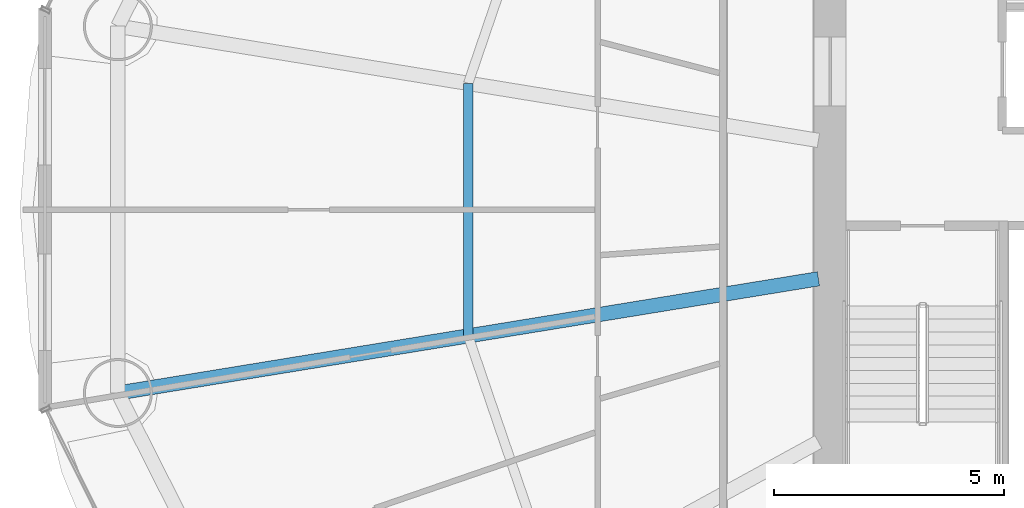
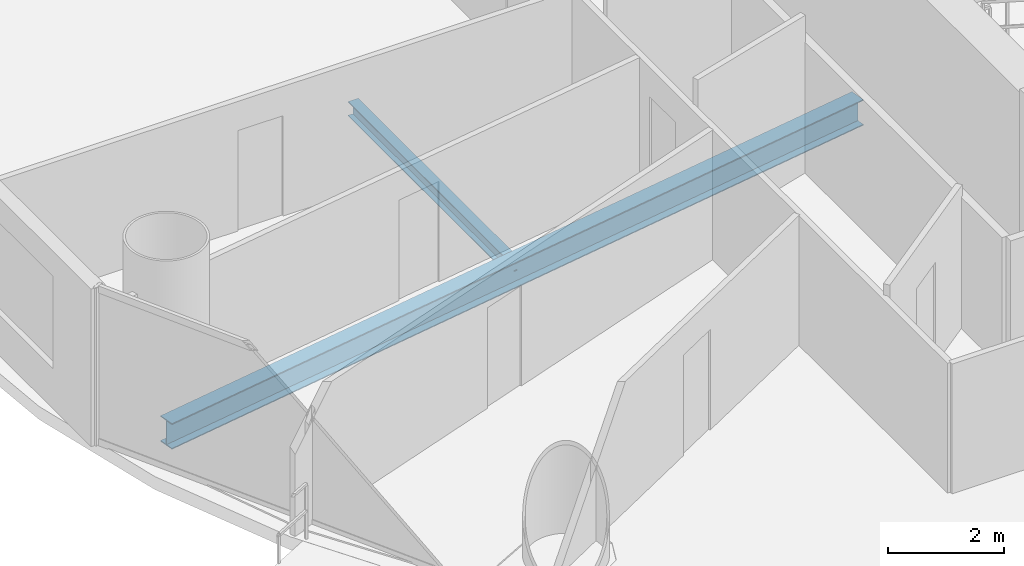
# One storey, part 8 of 29: 2 beams.
"""IFC4 building model written with IfcOpenShell, lengths in metres."""

import ifcopenshell
import ifcopenshell.guid

model = None  # the IFC model being written
_history = None  # IfcOwnerHistory: only IFC2X3 demands one
_inside = {}  # id of a spatial element -> (the spatial element, [elements in it])
_under = {}  # id of a project, library or spatial element -> (it, [spatial elements below it])
_declared = {}  # id of a project -> (the project, [libraries it declares])
_typed = {}  # id of a type object -> (the type object, [elements of that type])
_made_of = {}  # id of a material, layer set ... -> (it, [elements and type objects made of it])


def new_model(schema):
    """Start an empty IFC model of exactly this schema.

    Asked for "IFC4X3", IfcOpenShell would pick the latest addendum, in which some entities
    have other attributes; the version numbers below select the first issue.
    IFC2X3 requires an IfcOwnerHistory on every rooted entity: one is made here for all.
    """
    global model, _history
    if schema == "IFC4X3":
        model = ifcopenshell.file(schema_version=(4, 3, 0, 0))
    else:
        model = ifcopenshell.file(schema=schema)
    _inside.clear()
    _under.clear()
    _declared.clear()
    _typed.clear()
    _made_of.clear()
    _history = None
    if model.schema == "IFC2X3":
        org = make("IfcOrganization", Name="unknown")
        user = make(
            "IfcPersonAndOrganization",
            ThePerson=make("IfcPerson", FamilyName="unknown"),
            TheOrganization=org,
        )
        app = make(
            "IfcApplication",
            ApplicationDeveloper=org,
            Version="unknown",
            ApplicationFullName="unknown",
            ApplicationIdentifier="unknown",
        )
        _history = make(
            "IfcOwnerHistory",
            OwningUser=user,
            OwningApplication=app,
            ChangeAction="ADDED",
            CreationDate=0,
        )
    return model


def make(cls, **values):
    """One entity of the class cls with the attributes given. An attribute that is None is left unset."""
    return model.create_entity(
        cls, **{name: value for name, value in values.items() if value is not None}
    )


def rooted(cls, **values):
    """An entity with a GlobalId (a new one), such as an element, a storey or a relation."""
    return make(cls, GlobalId=ifcopenshell.guid.new(), OwnerHistory=_history, **values)


def si_unit(unit_type, name, prefix=None):
    """IfcSIUnit, for example si_unit("LENGTHUNIT", "METRE", prefix="MILLI")."""
    return make("IfcSIUnit", UnitType=unit_type, Prefix=prefix, Name=name)


def assignment(units):
    """IfcUnitAssignment: the units of a project."""
    return None if units is None else make("IfcUnitAssignment", Units=units)


def point(xyz):
    """IfcCartesianPoint."""
    return None if xyz is None else make("IfcCartesianPoint", Coordinates=xyz)


def direction(xyz):
    """IfcDirection."""
    return None if xyz is None else make("IfcDirection", DirectionRatios=xyz)


def frame(location, z_axis=None, x_axis=None):
    """IfcAxis2Placement3D, a coordinate frame: its origin and axes. An axis left out is left unset."""
    return make(
        "IfcAxis2Placement3D",
        Location=point(location),
        Axis=direction(z_axis),
        RefDirection=direction(x_axis),
    )


def frame_2d(location, x_axis=None):
    """IfcAxis2Placement2D, a coordinate frame in the plane: its origin and x axis."""
    return make(
        "IfcAxis2Placement2D", Location=point(location), RefDirection=direction(x_axis)
    )


def origin():
    """The frame at (0, 0, 0) with its axes left unset."""
    return frame((0.0, 0.0, 0.0))


def origin_2d():
    """The frame at (0, 0) in the plane with its x axis left unset."""
    return frame_2d((0.0, 0.0))


def place(relative_to, where):
    """IfcLocalPlacement: puts the frame where relative to a parent placement (None: the world)."""
    return make(
        "IfcLocalPlacement", PlacementRelTo=relative_to, RelativePlacement=where
    )


def context(
    kind, dimensions, precision=None, world=None, true_north=None, identifier=None
):
    """IfcGeometricRepresentationContext, for example the 3D "Model" context."""
    return make(
        "IfcGeometricRepresentationContext",
        ContextIdentifier=identifier,
        ContextType=kind,
        CoordinateSpaceDimension=dimensions,
        Precision=precision,
        WorldCoordinateSystem=world,
        TrueNorth=true_north,
    )


def subcontext(parent, identifier, kind, view, scale=None):
    """IfcGeometricRepresentationSubContext, for example "Body" below "Model"."""
    return make(
        "IfcGeometricRepresentationSubContext",
        ContextIdentifier=identifier,
        ContextType=kind,
        ParentContext=parent,
        TargetScale=scale,
        TargetView=view,
    )


def project(units=None, contexts=None):
    """IfcProject with its units and contexts."""
    return rooted(
        "IfcProject",
        Name="project",
        RepresentationContexts=contexts,
        UnitsInContext=assignment(units),
    )


def spatial(cls, under=None, at=None, **own):
    """A site, building, storey or space (cls), placed at a placement, below another one or the project."""
    s = rooted(cls, ObjectPlacement=at, **own)
    if under is not None:
        _under.setdefault(under.id(), (under, []))[1].append(s)
    return s


def profile(cls, at=None, kind="AREA", **sizes):
    """A parametric profile (cls). Its sizes go by their IFC names, for example OverallWidth=200.0."""
    return make(cls, ProfileType=kind, Position=at, **sizes)


def i_section(**sizes):
    """IfcIShapeProfileDef."""
    return profile("IfcIShapeProfileDef", **sizes)


def extrude(swept, where, along, depth):
    """IfcExtrudedAreaSolid: the profile swept, set in the frame where, extruded along a direction by depth."""
    return make(
        "IfcExtrudedAreaSolid",
        SweptArea=swept,
        Position=where,
        ExtrudedDirection=direction(along),
        Depth=depth,
    )


def shape(context_of_items, identifier, shape_type, items):
    """IfcShapeRepresentation: the items that make up one representation, for example the "Body"."""
    return make(
        "IfcShapeRepresentation",
        ContextOfItems=context_of_items,
        RepresentationIdentifier=identifier,
        RepresentationType=shape_type,
        Items=items,
    )


def material(Name=None, Category=None):
    """IfcMaterial."""
    return make("IfcMaterial", Name=Name, Category=Category)


def material_profile(
    of_material, cross_section, Name=None, Category=None, Priority=None
):
    """IfcMaterialProfile: a cross section and its material."""
    return make(
        "IfcMaterialProfile",
        Name=Name,
        Material=of_material,
        Profile=cross_section,
        Priority=Priority,
        Category=Category,
    )


def profile_set(profiles, Name=None, composite=None):
    """IfcMaterialProfileSet."""
    return make(
        "IfcMaterialProfileSet",
        Name=Name,
        MaterialProfiles=profiles,
        CompositeProfile=composite,
    )


def made_of(thing, what):
    """Note that an element or type object is made of a material, layer set ...; save() writes the relation."""
    if what is not None:
        _made_of.setdefault(what.id(), (what, []))[1].append(thing)
    return thing


def type_object(cls, material=None, **own):
    """A type object (cls), such as IfcWallType, which elements share."""
    return made_of(rooted(cls, **own), material)


def element(
    cls,
    number,
    at=None,
    inside=None,
    cuts=None,
    type_object=None,
    material=None,
    context=None,
    identifier="Body",
    shape_type=None,
    held_by="IfcProductDefinitionShape",
    body=None,
    shapes=None,
    **own,
):
    """One element of the class cls, such as IfcWall. Its Tag is "e" and its number.

    at: its placement. inside: the storey or other place that contains it. cuts: it is an
    opening in that element (IfcRelVoidsElement). A single representation is given by context,
    identifier, shape_type and body (its items); several are given by shapes. held_by: the class
    of the entity that holds the representations. save() writes the other relations.
    """
    e = rooted(cls, Tag="e%d" % number, ObjectPlacement=at, **own)
    if body is not None:
        shapes = [shape(context, identifier, shape_type, body)]
    if shapes is not None:
        e.Representation = make(held_by, Representations=shapes)
    if inside is not None:
        _inside.setdefault(inside.id(), (inside, []))[1].append(e)
    if cuts is not None:
        rooted(
            "IfcRelVoidsElement", RelatingBuildingElement=cuts, RelatedOpeningElement=e
        )
    if type_object is not None:
        _typed.setdefault(type_object.id(), (type_object, []))[1].append(e)
    return made_of(e, material)


def aggregate(whole, parts):
    """IfcRelAggregates: a whole, such as a stair, and the parts it consists of."""
    return rooted("IfcRelAggregates", RelatingObject=whole, RelatedObjects=parts)


def save(model, path):
    """Write the relations noted so far, then the file.

    IfcRelAggregates (storeys below a building ...), IfcRelContainedInSpatialStructure (elements
    in a storey), IfcRelDefinesByType, IfcRelAssociatesMaterial and IfcRelDeclares: one each for
    every whole, place, type object, material and project.
    """
    for whole, parts in _under.values():
        aggregate(whole, parts)
    for where, things in _inside.values():
        rooted(
            "IfcRelContainedInSpatialStructure",
            RelatedElements=things,
            RelatingStructure=where,
        )
    for kind, things in _typed.values():
        rooted("IfcRelDefinesByType", RelatedObjects=things, RelatingType=kind)
    for what, things in _made_of.values():
        rooted("IfcRelAssociatesMaterial", RelatedObjects=things, RelatingMaterial=what)
    for by, libraries in _declared.values():
        rooted("IfcRelDeclares", RelatingContext=by, RelatedDefinitions=libraries)
    model.write(path)


model = new_model("IFC4")

# Units and contexts
model_context = context("Model", 3, precision=1e-05, world=origin(), true_north=direction((-0.2419218956, 0.970295726276)))
body_context = subcontext(model_context, "Body", "Model", "MODEL_VIEW")
ifc_project = project(units=[si_unit("LENGTHUNIT", "METRE"), si_unit("AREAUNIT", "SQUARE_METRE"), si_unit("VOLUMEUNIT", "CUBIC_METRE"), si_unit("PLANEANGLEUNIT", "RADIAN"), si_unit("MASSUNIT", "GRAM", prefix="KILO")], contexts=[model_context])

# Site, building, storey
site_placement = place(None, origin())
site = spatial("IfcSite", under=ifc_project, at=site_placement, CompositionType="ELEMENT")
building_placement = place(site_placement, origin())
building = spatial("IfcBuilding", under=site, at=building_placement, Name="Cobrevalo Terracotta Tower", CompositionType="ELEMENT")
storey_placement = place(building_placement, frame((0.0, 0.0, 94.199951171875)))
storey = spatial("IfcBuildingStorey", under=building, at=storey_placement, Name="L24", CompositionType="ELEMENT", Elevation=94.199951171875)

# Beams
ifc_material = material(Name="Steel S355", Category="steel")
ifc_material_profile_1 = material_profile(ifc_material, i_section(OverallWidth=0.31201171875, OverallDepth=0.54296875, WebThickness=0.0126953125, FlangeThickness=0.020263671875, at=origin_2d()), Name="W 530x150")
ifc_profile_set_1 = profile_set([ifc_material_profile_1], Name="Steel S355")
beam_type_1 = type_object("IfcBeamType", Name="Structural Beam W 530x150 (Steel S355)", PredefinedType="BEAM", material=ifc_profile_set_1)
beam_1_placement = place(storey_placement, frame((13.529296875, 22.810302734375, -0.54638671875), z_axis=(0.986968056587, 0.160916298977, 0.0), x_axis=(-0.160916298977, 0.986968056587, 0.0)))
element("IfcBeam", 1, at=beam_1_placement, inside=storey, type_object=beam_type_1, Name="L24 radial floor girder 09", PredefinedType="BEAM", context=body_context, shape_type="SweptSolid", body=[
    extrude(i_section(OverallWidth=0.31201171875, OverallDepth=0.54296875, WebThickness=0.0126953125, FlangeThickness=0.020263671875, at=origin_2d()), origin(), (0.0, 0.0, 1.0), 15.44189453125),
])
ifc_material_profile_2 = material_profile(ifc_material, i_section(OverallWidth=0.2041015625, OverallDepth=0.305908203125, WebThickness=0.008544921875, FlangeThickness=0.0146484375, at=origin_2d()), Name="W 310x67")
ifc_profile_set_2 = profile_set([ifc_material_profile_2], Name="Steel S355")
beam_type_2 = type_object("IfcBeamType", Name="Structural Joist W 310x67 (Steel S355)", PredefinedType="JOIST", material=ifc_profile_set_2)
beam_2_placement = place(storey_placement, frame((21.149658203125, 29.547119140625, -0.427978515625), z_axis=(0.0, -1.0, 0.0), x_axis=(1.0, 0.0, 0.0)))
element("IfcBeam", 2, at=beam_2_placement, inside=storey, type_object=beam_type_2, Name="L24 circumferential secondary floor joist 08", PredefinedType="JOIST", context=body_context, shape_type="SweptSolid", body=[
    extrude(i_section(OverallWidth=0.2041015625, OverallDepth=0.305908203125, WebThickness=0.008544921875, FlangeThickness=0.0146484375, at=origin_2d()), origin(), (0.0, 0.0, 1.0), 5.494384765625),
])

save(model, "model.ifc")
